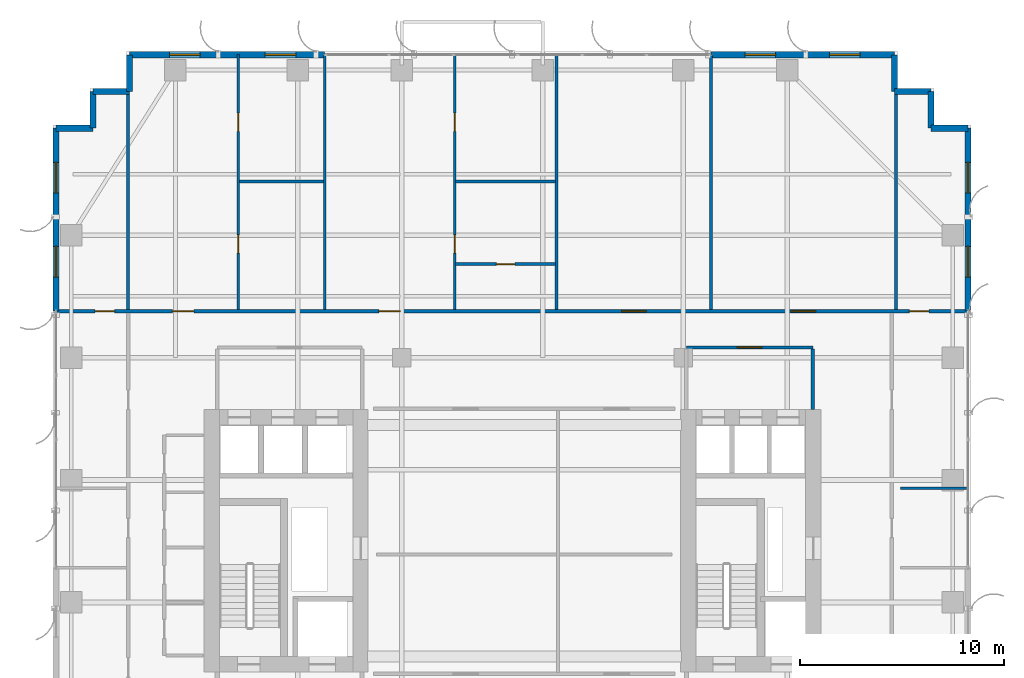
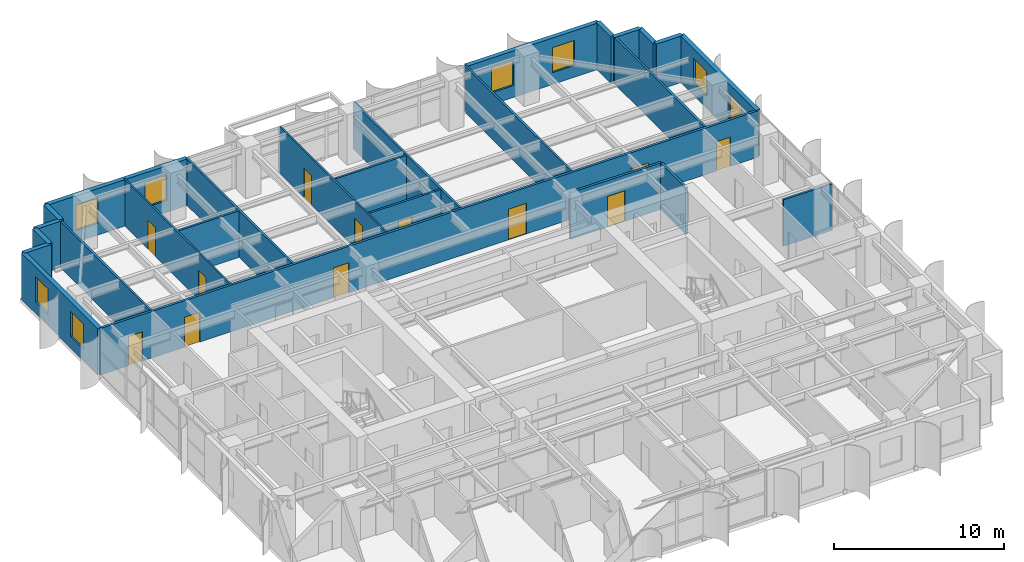
# One storey, part 21 of 25: 26 walls, 12 doors, 8 windows, 20 openings.
"""IFC4 building model written with IfcOpenShell, lengths in metres."""

from ifc_helpers import new_model, si_unit, direction, frame, frame_2d, origin, place, context, subcontext, project, spatial, rectangle, extrude, source, transform, mapped, material, layer, layer_set, type_object, element, fill, save


model = new_model("IFC4")

# Units and contexts
model_context = context("Model", 3, precision=1e-05, world=origin(), true_north=direction((0.0, 1.0)))
body_context = subcontext(model_context, "Body", "Model", "MODEL_VIEW")
ifc_project = project(units=[si_unit("LENGTHUNIT", "METRE"), si_unit("AREAUNIT", "SQUARE_METRE"), si_unit("VOLUMEUNIT", "CUBIC_METRE"), si_unit("PLANEANGLEUNIT", "RADIAN"), si_unit("MASSUNIT", "GRAM", prefix="KILO")], contexts=[model_context])

# Site, building, storey
site_placement = place(None, origin())
site = spatial("IfcSite", under=ifc_project, at=site_placement, CompositionType="ELEMENT")
building_placement = place(site_placement, origin())
building = spatial("IfcBuilding", under=site, at=building_placement, Name="Khoralis Quay Care Tower", CompositionType="ELEMENT")
storey_placement = place(building_placement, frame((0.0, 0.0, 134.10009765625)))
storey = spatial("IfcBuildingStorey", under=building, at=storey_placement, Name="L35", CompositionType="ELEMENT", Elevation=134.10009765625)

# Wall, opening, door
ifc_material_1 = material(Name="Gypsum plasterboard on acoustic metal stud")
ifc_layer_1 = layer(ifc_material_1, 0.1650390625)
ifc_layer_set_1 = layer_set([ifc_layer_1], Name="Gypsum plasterboard on acoustic metal stud")
wall_type_1 = type_object("IfcWallType", Name="WL-CORR-165", PredefinedType="PARTITIONING", material=ifc_layer_set_1)
wall_1_placement = place(storey_placement, frame((31.050048828125, 30.5, 0.0), z_axis=(0.0, 0.0, 1.0), x_axis=(1.0, 0.0, 0.0)))
wall_1 = element("IfcWall", 1, at=wall_1_placement, inside=storey, type_object=wall_type_1, Name="L35 East Lift Lobby North Wall", PredefinedType="PARTITIONING", context=body_context, shape_type="SweptSolid", body=[
    extrude(rectangle(XDim=6.199951171875, YDim=0.1650390625, at=frame_2d((3.10009765625, 0.0))), origin(), (0.0, 0.0, 1.0), 3.33984375),
])
opening_1_placement = place(wall_1_placement, frame((2.5, 0.0, 0.0)))
opening_1 = element("IfcOpeningElement", 2, at=opening_1_placement, cuts=wall_1, Name="Opening FD1", PredefinedType="OPENING", context=body_context, shape_type="SweptSolid", body=[
    extrude(rectangle(XDim=1.199951171875, YDim=2.199951171875, at=frame_2d((0.60009765625, 1.10009765625))), frame((0.0, 0.092529296875, 0.0), z_axis=(0.0, -1.0, 0.0), x_axis=(1.0, 0.0, 0.0)), (0.0, 0.0, 1.0), 0.18505859375),
])
ifc_material_2 = material(Name="Fire-rated painted steel", Category="steel")
door_type_1 = type_object("IfcDoorType", Name="DR-FFL-1200X2200", OperationType="NOTDEFINED", PredefinedType="DOOR", material=ifc_material_2)
shared_shape_1 = source(origin(), body_context, "Body", "SweptSolid", [
    extrude(rectangle(XDim=1.199951171875, YDim=2.199951171875, at=frame_2d((0.60009765625, 1.10009765625))), frame((0.0, 0.02490234375, 0.0), z_axis=(0.0, -1.0, 0.0), x_axis=(1.0, 0.0, 0.0)), (0.0, 0.0, 1.0), 0.050048828125),
])
door_1_placement = place(opening_1_placement, origin())
door_1 = element("IfcDoor", 3, at=door_1_placement, inside=storey, type_object=door_type_1, Name="L35 East Lift Lobby Double Door", OperationType="DOUBLE_DOOR_SINGLE_SWING", OverallHeight=2.199951171875, OverallWidth=1.199951171875, PredefinedType="DOOR", context=body_context, shape_type="MappedRepresentation", body=[
    mapped(shared_shape_1, transform((0.0, 0.0, 0.0), scale=1.0)),
])
fill(opening_1, door_1)

# Wall
wall_2_placement = place(storey_placement, frame((37.25, 27.469970703125, 0.0), z_axis=(0.0, 0.0, 1.0), x_axis=(0.0, 1.0, 0.0)))
element("IfcWall", 4, at=wall_2_placement, inside=storey, type_object=wall_type_1, Name="L35 East Lift Lobby East Wall", PredefinedType="PARTITIONING", context=body_context, shape_type="SweptSolid", body=[
    extrude(rectangle(XDim=2.95263671875, YDim=0.1650390625, at=frame_2d((1.476318359375, 0.0))), origin(), (0.0, 0.0, 1.0), 3.33984375),
])

# Wall, openings, doors
wall_3_placement = place(storey_placement, frame((0.14501953125, 32.280029296875, 0.0), z_axis=(0.0, 0.0, 1.0), x_axis=(1.0, 0.0, 0.0)))
wall_3 = element("IfcWall", 5, at=wall_3_placement, inside=storey, type_object=wall_type_1, Name="L35 North Main Corridor Wall", PredefinedType="PARTITIONING", context=body_context, shape_type="SweptSolid", body=[
    extrude(rectangle(XDim=44.7099609375, YDim=0.1650390625, at=frame_2d((22.35498046875, 0.0))), origin(), (0.0, 0.0, 1.0), 3.33984375),
])
opening_2_placement = place(wall_3_placement, frame((5.708984375, 0.0, 0.0)))
opening_2 = element("IfcOpeningElement", 6, at=opening_2_placement, cuts=wall_3, Name="Opening UD1", PredefinedType="OPENING", context=body_context, shape_type="SweptSolid", body=[
    extrude(rectangle(XDim=1.050048828125, YDim=2.14990234375, at=frame_2d((0.52490234375, 1.074951171875))), frame((0.0, 0.092529296875, 0.0), z_axis=(0.0, -1.0, 0.0), x_axis=(1.0, 0.0, 0.0)), (0.0, 0.0, 1.0), 0.18505859375),
])
opening_3_placement = place(wall_3_placement, frame((15.83349609375, 0.0, 0.0)))
opening_3 = element("IfcOpeningElement", 7, at=opening_3_placement, cuts=wall_3, Name="Opening UD1", PredefinedType="OPENING", context=body_context, shape_type="SweptSolid", body=[
    extrude(rectangle(XDim=1.050048828125, YDim=2.14990234375, at=frame_2d((0.52490234375, 1.074951171875))), frame((0.0, 0.092529296875, 0.0), z_axis=(0.0, -1.0, 0.0), x_axis=(1.0, 0.0, 0.0)), (0.0, 0.0, 1.0), 0.18505859375),
])
opening_4_placement = place(wall_3_placement, frame((27.72509765625, 0.0, 0.0)))
opening_4 = element("IfcOpeningElement", 8, at=opening_4_placement, cuts=wall_3, Name="Opening FD1", PredefinedType="OPENING", context=body_context, shape_type="SweptSolid", body=[
    extrude(rectangle(XDim=1.199951171875, YDim=2.199951171875, at=frame_2d((0.60009765625, 1.10009765625))), frame((0.0, 0.092529296875, 0.0), z_axis=(0.0, -1.0, 0.0), x_axis=(1.0, 0.0, 0.0)), (0.0, 0.0, 1.0), 0.18505859375),
])
opening_5_placement = place(wall_3_placement, frame((36.0400390625, 0.0, 0.0)))
opening_5 = element("IfcOpeningElement", 9, at=opening_5_placement, cuts=wall_3, Name="Opening FD1", PredefinedType="OPENING", context=body_context, shape_type="SweptSolid", body=[
    extrude(rectangle(XDim=1.199951171875, YDim=2.199951171875, at=frame_2d((0.60009765625, 1.10009765625))), frame((0.0, 0.092529296875, 0.0), z_axis=(0.0, -1.0, 0.0), x_axis=(1.0, 0.0, 0.0)), (0.0, 0.0, 1.0), 0.18505859375),
])
opening_6_placement = place(wall_3_placement, frame((1.919921875, 0.0, 0.0)))
opening_6 = element("IfcOpeningElement", 10, at=opening_6_placement, cuts=wall_3, Name="Opening ID1", PredefinedType="OPENING", context=body_context, shape_type="SweptSolid", body=[
    extrude(rectangle(XDim=0.949951171875, YDim=2.10009765625, at=frame_2d((0.47509765625, 1.050048828125))), frame((0.0, 0.092529296875, 0.0), z_axis=(0.0, -1.0, 0.0), x_axis=(1.0, 0.0, 0.0)), (0.0, 0.0, 1.0), 0.18505859375),
])
opening_7_placement = place(wall_3_placement, frame((41.840087890625, 0.0, 0.0)))
opening_7 = element("IfcOpeningElement", 11, at=opening_7_placement, cuts=wall_3, Name="Opening ID1", PredefinedType="OPENING", context=body_context, shape_type="SweptSolid", body=[
    extrude(rectangle(XDim=0.949951171875, YDim=2.10009765625, at=frame_2d((0.47509765625, 1.050048828125))), frame((0.0, 0.092529296875, 0.0), z_axis=(0.0, -1.0, 0.0), x_axis=(1.0, 0.0, 0.0)), (0.0, 0.0, 1.0), 0.18505859375),
])
door_2_placement = place(opening_4_placement, origin())
door_2 = element("IfcDoor", 12, at=door_2_placement, inside=storey, type_object=door_type_1, Name="L35 Assisted Communal Dining Room Door", OperationType="DOUBLE_DOOR_SINGLE_SWING", OverallHeight=2.199951171875, OverallWidth=1.199951171875, PredefinedType="DOOR", context=body_context, shape_type="MappedRepresentation", body=[
    mapped(shared_shape_1, transform((0.0, 0.0, 0.0), scale=1.0)),
])
fill(opening_4, door_2)
door_3_placement = place(opening_5_placement, origin())
door_3 = element("IfcDoor", 13, at=door_3_placement, inside=storey, type_object=door_type_1, Name="L35 Resident Communal Day Lounge Door", OperationType="DOUBLE_DOOR_SINGLE_SWING", OverallHeight=2.199951171875, OverallWidth=1.199951171875, PredefinedType="DOOR", context=body_context, shape_type="MappedRepresentation", body=[
    mapped(shared_shape_1, transform((0.0, 0.0, 0.0), scale=1.0)),
])
fill(opening_5, door_3)
ifc_material_3 = material(Name="Acoustic hardwood timber", Category="wood")
door_type_2 = type_object("IfcDoorType", Name="DR-ROOM-950X2100", OperationType="NOTDEFINED", PredefinedType="DOOR", material=ifc_material_3)
shared_shape_2 = source(origin(), body_context, "Body", "SweptSolid", [
    extrude(rectangle(XDim=0.949951171875, YDim=2.10009765625, at=frame_2d((0.47509765625, 1.050048828125))), frame((0.0, 0.02490234375, 0.0), z_axis=(0.0, -1.0, 0.0), x_axis=(1.0, 0.0, 0.0)), (0.0, 0.0, 1.0), 0.050048828125),
])
door_4_placement = place(opening_6_placement, origin())
door_4 = element("IfcDoor", 14, at=door_4_placement, inside=storey, type_object=door_type_2, Name="L35 NW Corner Door", OperationType="SINGLE_SWING_RIGHT", OverallHeight=2.10009765625, OverallWidth=0.949951171875, PredefinedType="DOOR", context=body_context, shape_type="MappedRepresentation", body=[
    mapped(shared_shape_2, transform((0.0, 0.0, 0.0), scale=1.0)),
])
fill(opening_6, door_4)
door_5_placement = place(opening_7_placement, origin())
door_5 = element("IfcDoor", 15, at=door_5_placement, inside=storey, type_object=door_type_2, Name="L35 NE Corner Door", OperationType="SINGLE_SWING_LEFT", OverallHeight=2.10009765625, OverallWidth=0.949951171875, PredefinedType="DOOR", context=body_context, shape_type="MappedRepresentation", body=[
    mapped(shared_shape_2, transform((0.0, 0.0, 0.0), scale=1.0)),
])
fill(opening_7, door_5)
door_type_3 = type_object("IfcDoorType", Name="DR-SUITE-1050X2150", OperationType="NOTDEFINED", PredefinedType="DOOR", material=ifc_material_3)
shared_shape_3 = source(origin(), body_context, "Body", "SweptSolid", [
    extrude(rectangle(XDim=1.050048828125, YDim=2.14990234375, at=frame_2d((0.52490234375, 1.074951171875))), frame((0.0, 0.02490234375, 0.0), z_axis=(0.0, -1.0, 0.0), x_axis=(1.0, 0.0, 0.0)), (0.0, 0.0, 1.0), 0.050048828125),
])
door_6_placement = place(opening_2_placement, origin())
door_6 = element("IfcDoor", 16, at=door_6_placement, inside=storey, type_object=door_type_3, Name="L35 Studio NB0 Entrance", OperationType="SINGLE_SWING_LEFT", OverallHeight=2.14990234375, OverallWidth=1.050048828125, PredefinedType="DOOR", context=body_context, shape_type="MappedRepresentation", body=[
    mapped(shared_shape_3, transform((0.0, 0.0, 0.0), scale=1.0)),
])
fill(opening_2, door_6)
door_7_placement = place(opening_3_placement, origin())
door_7 = element("IfcDoor", 17, at=door_7_placement, inside=storey, type_object=door_type_3, Name="L35 Studio NB1 Entrance", OperationType="SINGLE_SWING_RIGHT", OverallHeight=2.14990234375, OverallWidth=1.050048828125, PredefinedType="DOOR", context=body_context, shape_type="MappedRepresentation", body=[
    mapped(shared_shape_3, transform((0.0, 0.0, 0.0), scale=1.0)),
])
fill(opening_3, door_7)

# Wall, openings, windows
ifc_material_4 = material(Name="Precast concrete C45/55", Category="concrete")
ifc_layer_2 = layer(ifc_material_4, 0.300048828125)
ifc_layer_set_2 = layer_set([ifc_layer_2], Name="Precast concrete C45/55")
wall_type_2 = type_object("IfcWallType", Name="WL-EXT-REF-300", PredefinedType="SOLIDWALL", material=ifc_layer_set_2)
wall_4_placement = place(storey_placement, frame((44.85009765625, 32.280029296875, 0.0), z_axis=(0.0, 0.0, 1.0), x_axis=(0.0, 1.0, 0.0)))
wall_4 = element("IfcWall", 18, at=wall_4_placement, inside=storey, type_object=wall_type_2, Name="L35 External Facade Wall WL-EXT-L35-P1-E5B", PredefinedType="SOLIDWALL", context=body_context, shape_type="SweptSolid", body=[
    extrude(rectangle(XDim=8.969970703125, YDim=0.300048828125, at=frame_2d((4.48486328125, 0.0))), origin(), (0.0, 0.0, 1.0), 3.33984375),
])
opening_8_placement = place(wall_4_placement, frame((1.672607421875, 0.0, 0.85009765625)))
opening_8 = element("IfcOpeningElement", 19, at=opening_8_placement, cuts=wall_4, Name="Opening W3", PredefinedType="OPENING", context=body_context, shape_type="SweptSolid", body=[
    extrude(rectangle(XDim=1.5, YDim=1.800048828125, at=frame_2d((0.75, 0.89990234375))), frame((0.0, 0.16015625, 0.0), z_axis=(0.0, -1.0, 0.0), x_axis=(1.0, 0.0, 0.0)), (0.0, 0.0, 1.0), 0.320068359375),
])
opening_9_placement = place(wall_4_placement, frame((5.797607421875, 0.0, 0.85009765625)))
opening_9 = element("IfcOpeningElement", 20, at=opening_9_placement, cuts=wall_4, Name="Opening W3", PredefinedType="OPENING", context=body_context, shape_type="SweptSolid", body=[
    extrude(rectangle(XDim=1.5, YDim=1.800048828125, at=frame_2d((0.75, 0.89990234375))), frame((0.0, 0.16015625, 0.0), z_axis=(0.0, -1.0, 0.0), x_axis=(1.0, 0.0, 0.0)), (0.0, 0.0, 1.0), 0.320068359375),
])
ifc_material_5 = material(Name="Low-E solar-control double glazing", Category="glass")
window_type = type_object("IfcWindowType", Name="WN-CLIN-1500X1800", PartitioningType="SINGLE_PANEL", PredefinedType="WINDOW", material=ifc_material_5)
shared_shape_4 = source(origin(), body_context, "Body", "SweptSolid", [
    extrude(rectangle(XDim=1.5, YDim=1.800048828125, at=frame_2d((0.75, 0.89990234375))), frame((0.0, 0.030029296875, 0.0), z_axis=(0.0, -1.0, 0.0), x_axis=(1.0, 0.0, 0.0)), (0.0, 0.0, 1.0), 0.06005859375),
])
window_1_placement = place(opening_8_placement, origin())
window_1 = element("IfcWindow", 21, at=window_1_placement, inside=storey, type_object=window_type, Name="WN-L35-P1-E5B Facade Window 01", OverallHeight=1.800048828125, OverallWidth=1.5, PartitioningType="SINGLE_PANEL", PredefinedType="WINDOW", context=body_context, shape_type="MappedRepresentation", body=[
    mapped(shared_shape_4, transform((0.0, 0.0, 0.0), scale=1.0)),
])
fill(opening_8, window_1)
window_2_placement = place(opening_9_placement, origin())
window_2 = element("IfcWindow", 22, at=window_2_placement, inside=storey, type_object=window_type, Name="WN-L35-P1-E5B Facade Window 02", OverallHeight=1.800048828125, OverallWidth=1.5, PartitioningType="SINGLE_PANEL", PredefinedType="WINDOW", context=body_context, shape_type="MappedRepresentation", body=[
    mapped(shared_shape_4, transform((0.0, 0.0, 0.0), scale=1.0)),
])
fill(opening_9, window_2)

# Walls
for number, where, z_axis, x_axis, name in (
    (23, (44.85009765625, 41.25, 0.0), (0.0, 0.0, 1.0), (-1.0, 0.0, 0.0), "L35 External Facade Wall WL-EXT-L35-P1-C6"),
    (24, (43.050048828125, 41.25, 0.0), (0.0, 0.0, 1.0), (0.0, 1.0, 0.0), "L35 External Facade Wall WL-EXT-L35-P1-C7"),
    (25, (43.050048828125, 43.050048828125, 0.0), (0.0, 0.0, 1.0), (-1.0, 0.0, 0.0), "L35 External Facade Wall WL-EXT-L35-P1-C8"),
    (26, (41.25, 43.050048828125, 0.0), (0.0, 0.0, 1.0), (0.0, 1.0, 0.0), "L35 External Facade Wall WL-EXT-L35-P1-C9"),
):
    element("IfcWall", number, at=place(storey_placement, frame(where, z_axis=z_axis, x_axis=x_axis)), inside=storey, type_object=wall_type_2, Name=name, PredefinedType="SOLIDWALL", context=body_context, shape_type="SweptSolid", body=[
        extrude(rectangle(XDim=1.800048828125, YDim=0.300048828125, at=frame_2d((0.89990234375, 0.0))), origin(), (0.0, 0.0, 1.0), 3.33984375),
    ])

# Wall, openings, windows
wall_5_placement = place(storey_placement, frame((41.25, 44.85009765625, 0.0), z_axis=(0.0, 0.0, 1.0), x_axis=(-1.0, 0.0, 0.0)))
wall_5 = element("IfcWall", 27, at=wall_5_placement, inside=storey, type_object=wall_type_2, Name="L35 External Facade Wall WL-EXT-L35-P1-E10A", PredefinedType="SOLIDWALL", context=body_context, shape_type="SweptSolid", body=[
    extrude(rectangle(XDim=9.0, YDim=0.300048828125, at=frame_2d((4.5, 0.0))), origin(), (0.0, 0.0, 1.0), 3.33984375),
])
opening_10_placement = place(wall_5_placement, frame((1.679931640625, 0.0, 0.85009765625)))
opening_10 = element("IfcOpeningElement", 28, at=opening_10_placement, cuts=wall_5, Name="Opening W3", PredefinedType="OPENING", context=body_context, shape_type="SweptSolid", body=[
    extrude(rectangle(XDim=1.5, YDim=1.800048828125, at=frame_2d((0.75, 0.89990234375))), frame((0.0, 0.16015625, 0.0), z_axis=(0.0, -1.0, 0.0), x_axis=(1.0, 0.0, 0.0)), (0.0, 0.0, 1.0), 0.320068359375),
])
opening_11_placement = place(wall_5_placement, frame((5.820068359375, 0.0, 0.85009765625)))
opening_11 = element("IfcOpeningElement", 29, at=opening_11_placement, cuts=wall_5, Name="Opening W3", PredefinedType="OPENING", context=body_context, shape_type="SweptSolid", body=[
    extrude(rectangle(XDim=1.5, YDim=1.800048828125, at=frame_2d((0.75, 0.89990234375))), frame((0.0, 0.16015625, 0.0), z_axis=(0.0, -1.0, 0.0), x_axis=(1.0, 0.0, 0.0)), (0.0, 0.0, 1.0), 0.320068359375),
])
window_3_placement = place(opening_10_placement, origin())
window_3 = element("IfcWindow", 30, at=window_3_placement, inside=storey, type_object=window_type, Name="WN-L35-P1-E10A Facade Window 01", OverallHeight=1.800048828125, OverallWidth=1.5, PartitioningType="SINGLE_PANEL", PredefinedType="WINDOW", context=body_context, shape_type="MappedRepresentation", body=[
    mapped(shared_shape_4, transform((0.0, 0.0, 0.0), scale=1.0)),
])
fill(opening_10, window_3)
window_4_placement = place(opening_11_placement, origin())
window_4 = element("IfcWindow", 31, at=window_4_placement, inside=storey, type_object=window_type, Name="WN-L35-P1-E10A Facade Window 02", OverallHeight=1.800048828125, OverallWidth=1.5, PartitioningType="SINGLE_PANEL", PredefinedType="WINDOW", context=body_context, shape_type="MappedRepresentation", body=[
    mapped(shared_shape_4, transform((0.0, 0.0, 0.0), scale=1.0)),
])
fill(opening_11, window_4)

wall_6_placement = place(storey_placement, frame((13.320068359375, 44.85009765625, 0.0), z_axis=(0.0, 0.0, 1.0), x_axis=(-1.0, 0.0, 0.0)))
wall_6 = element("IfcWall", 32, at=wall_6_placement, inside=storey, type_object=wall_type_2, Name="L35 External Facade Wall WL-EXT-L35-P1-E10B", PredefinedType="SOLIDWALL", context=body_context, shape_type="SweptSolid", body=[
    extrude(rectangle(XDim=9.570068359375, YDim=0.300048828125, at=frame_2d((4.78515625, 0.0))), origin(), (0.0, 0.0, 1.0), 3.33984375),
])
opening_12_placement = place(wall_6_placement, frame((1.4208984375, 0.0, 0.85009765625)))
opening_12 = element("IfcOpeningElement", 33, at=opening_12_placement, cuts=wall_6, Name="Opening W3", PredefinedType="OPENING", context=body_context, shape_type="SweptSolid", body=[
    extrude(rectangle(XDim=1.5, YDim=1.800048828125, at=frame_2d((0.75, 0.89990234375))), frame((0.0, 0.16015625, 0.0), z_axis=(0.0, -1.0, 0.0), x_axis=(1.0, 0.0, 0.0)), (0.0, 0.0, 1.0), 0.320068359375),
])
opening_13_placement = place(wall_6_placement, frame((6.10595703125, 0.0, 0.85009765625)))
opening_13 = element("IfcOpeningElement", 34, at=opening_13_placement, cuts=wall_6, Name="Opening W3", PredefinedType="OPENING", context=body_context, shape_type="SweptSolid", body=[
    extrude(rectangle(XDim=1.5, YDim=1.800048828125, at=frame_2d((0.75, 0.89990234375))), frame((0.0, 0.16015625, 0.0), z_axis=(0.0, -1.0, 0.0), x_axis=(1.0, 0.0, 0.0)), (0.0, 0.0, 1.0), 0.320068359375),
])
window_5_placement = place(opening_12_placement, origin())
window_5 = element("IfcWindow", 35, at=window_5_placement, inside=storey, type_object=window_type, Name="WN-L35-P1-E10B Facade Window 01", OverallHeight=1.800048828125, OverallWidth=1.5, PartitioningType="SINGLE_PANEL", PredefinedType="WINDOW", context=body_context, shape_type="MappedRepresentation", body=[
    mapped(shared_shape_4, transform((0.0, 0.0, 0.0), scale=1.0)),
])
fill(opening_12, window_5)
window_6_placement = place(opening_13_placement, origin())
window_6 = element("IfcWindow", 36, at=window_6_placement, inside=storey, type_object=window_type, Name="WN-L35-P1-E10B Facade Window 02", OverallHeight=1.800048828125, OverallWidth=1.5, PartitioningType="SINGLE_PANEL", PredefinedType="WINDOW", context=body_context, shape_type="MappedRepresentation", body=[
    mapped(shared_shape_4, transform((0.0, 0.0, 0.0), scale=1.0)),
])
fill(opening_13, window_6)

# Walls
for number, where, z_axis, x_axis, name in (
    (37, (3.75, 44.85009765625, 0.0), (0.0, 0.0, 1.0), (0.0, -1.0, 0.0), "L35 External Facade Wall WL-EXT-L35-P1-C11"),
    (38, (3.75, 43.050048828125, 0.0), (0.0, 0.0, 1.0), (-1.0, 0.0, 0.0), "L35 External Facade Wall WL-EXT-L35-P1-C12"),
    (39, (1.949951171875, 43.050048828125, 0.0), (0.0, 0.0, 1.0), (0.0, -1.0, 0.0), "L35 External Facade Wall WL-EXT-L35-P1-C13"),
    (40, (1.949951171875, 41.25, 0.0), (0.0, 0.0, 1.0), (-1.0, 0.0, 0.0), "L35 External Facade Wall WL-EXT-L35-P1-C14"),
):
    element("IfcWall", number, at=place(storey_placement, frame(where, z_axis=z_axis, x_axis=x_axis)), inside=storey, type_object=wall_type_2, Name=name, PredefinedType="SOLIDWALL", context=body_context, shape_type="SweptSolid", body=[
        extrude(rectangle(XDim=1.800048828125, YDim=0.300048828125, at=frame_2d((0.89990234375, 0.0))), origin(), (0.0, 0.0, 1.0), 3.33984375),
    ])

# Wall, openings, windows
wall_7_placement = place(storey_placement, frame((0.14990234375, 41.25, 0.0), z_axis=(0.0, 0.0, 1.0), x_axis=(0.0, -1.0, 0.0)))
wall_7 = element("IfcWall", 41, at=wall_7_placement, inside=storey, type_object=wall_type_2, Name="L35 External Facade Wall WL-EXT-L35-P1-E15A", PredefinedType="SOLIDWALL", context=body_context, shape_type="SweptSolid", body=[
    extrude(rectangle(XDim=8.969970703125, YDim=0.300048828125, at=frame_2d((4.48486328125, 0.0))), origin(), (0.0, 0.0, 1.0), 3.33984375),
])
opening_14_placement = place(wall_7_placement, frame((1.672607421875, 0.0, 0.85009765625)))
opening_14 = element("IfcOpeningElement", 42, at=opening_14_placement, cuts=wall_7, Name="Opening W3", PredefinedType="OPENING", context=body_context, shape_type="SweptSolid", body=[
    extrude(rectangle(XDim=1.5, YDim=1.800048828125, at=frame_2d((0.75, 0.89990234375))), frame((0.0, 0.16015625, 0.0), z_axis=(0.0, -1.0, 0.0), x_axis=(1.0, 0.0, 0.0)), (0.0, 0.0, 1.0), 0.320068359375),
])
opening_15_placement = place(wall_7_placement, frame((5.797607421875, 0.0, 0.85009765625)))
opening_15 = element("IfcOpeningElement", 43, at=opening_15_placement, cuts=wall_7, Name="Opening W3", PredefinedType="OPENING", context=body_context, shape_type="SweptSolid", body=[
    extrude(rectangle(XDim=1.5, YDim=1.800048828125, at=frame_2d((0.75, 0.89990234375))), frame((0.0, 0.16015625, 0.0), z_axis=(0.0, -1.0, 0.0), x_axis=(1.0, 0.0, 0.0)), (0.0, 0.0, 1.0), 0.320068359375),
])
window_7_placement = place(opening_14_placement, origin())
window_7 = element("IfcWindow", 44, at=window_7_placement, inside=storey, type_object=window_type, Name="WN-L35-P1-E15A Facade Window 01", OverallHeight=1.800048828125, OverallWidth=1.5, PartitioningType="SINGLE_PANEL", PredefinedType="WINDOW", context=body_context, shape_type="MappedRepresentation", body=[
    mapped(shared_shape_4, transform((0.0, 0.0, 0.0), scale=1.0)),
])
fill(opening_14, window_7)
window_8_placement = place(opening_15_placement, origin())
window_8 = element("IfcWindow", 45, at=window_8_placement, inside=storey, type_object=window_type, Name="WN-L35-P1-E15A Facade Window 02", OverallHeight=1.800048828125, OverallWidth=1.5, PartitioningType="SINGLE_PANEL", PredefinedType="WINDOW", context=body_context, shape_type="MappedRepresentation", body=[
    mapped(shared_shape_4, transform((0.0, 0.0, 0.0), scale=1.0)),
])
fill(opening_15, window_8)

# Wall, openings, doors
ifc_layer_3 = layer(ifc_material_1, 0.114990234375)
ifc_layer_set_3 = layer_set([ifc_layer_3], Name="Gypsum plasterboard on acoustic metal stud")
wall_type_3 = type_object("IfcWallType", Name="WL-PART-115", PredefinedType="PARTITIONING", material=ifc_layer_set_3)
wall_8_placement = place(storey_placement, frame((9.077880859375, 32.357421875, 0.0), z_axis=(0.0, 0.0, 1.0), x_axis=(0.0, 1.0, 0.0)))
wall_8 = element("IfcWall", 46, at=wall_8_placement, inside=storey, type_object=wall_type_3, Name="L35 Studio 0 Internal Wall", PredefinedType="PARTITIONING", context=body_context, shape_type="SweptSolid", body=[
    extrude(rectangle(XDim=12.49755859375, YDim=0.114990234375, at=frame_2d((6.248779296875, 0.0))), origin(), (0.0, 0.0, 1.0), 3.33984375),
])
opening_16_placement = place(wall_8_placement, frame((8.737548828125, 0.0, 0.0)))
opening_16 = element("IfcOpeningElement", 47, at=opening_16_placement, cuts=wall_8, Name="Opening WD1", PredefinedType="OPENING", context=body_context, shape_type="SweptSolid", body=[
    extrude(rectangle(XDim=0.89990234375, YDim=2.10009765625, at=frame_2d((0.449951171875, 1.050048828125))), frame((0.0, 0.0673828125, 0.0), z_axis=(0.0, -1.0, 0.0), x_axis=(1.0, 0.0, 0.0)), (0.0, 0.0, 1.0), 0.135009765625),
])
opening_17_placement = place(wall_8_placement, frame((2.767578125, 0.0, 0.0)))
opening_17 = element("IfcOpeningElement", 48, at=opening_17_placement, cuts=wall_8, Name="Opening WD1", PredefinedType="OPENING", context=body_context, shape_type="SweptSolid", body=[
    extrude(rectangle(XDim=0.89990234375, YDim=2.10009765625, at=frame_2d((0.449951171875, 1.050048828125))), frame((0.0, 0.0673828125, 0.0), z_axis=(0.0, -1.0, 0.0), x_axis=(1.0, 0.0, 0.0)), (0.0, 0.0, 1.0), 0.135009765625),
])
door_type_4 = type_object("IfcDoorType", Name="DR-BATH-900X2100", OperationType="NOTDEFINED", PredefinedType="DOOR", material=ifc_material_3)
shared_shape_5 = source(origin(), body_context, "Body", "SweptSolid", [
    extrude(rectangle(XDim=0.89990234375, YDim=2.10009765625, at=frame_2d((0.449951171875, 1.050048828125))), frame((0.0, 0.02490234375, 0.0), z_axis=(0.0, -1.0, 0.0), x_axis=(1.0, 0.0, 0.0)), (0.0, 0.0, 1.0), 0.050048828125),
])
door_8_placement = place(opening_16_placement, frame((0.89990234375, 0.0, 0.0), z_axis=(0.0, 0.0, 1.0), x_axis=(-1.0, 0.0, 0.0)))
door_8 = element("IfcDoor", 49, at=door_8_placement, inside=storey, type_object=door_type_4, Name="L35 Studio SKT Door", OperationType="SINGLE_SWING_RIGHT", OverallHeight=2.10009765625, OverallWidth=0.89990234375, PredefinedType="DOOR", context=body_context, shape_type="MappedRepresentation", body=[
    mapped(shared_shape_5, transform((0.0, 0.0, 0.0), scale=1.0)),
])
fill(opening_16, door_8)
door_9_placement = place(opening_17_placement, frame((0.89990234375, 0.0, 0.0), z_axis=(0.0, 0.0, 1.0), x_axis=(-1.0, 0.0, 0.0)))
door_9 = element("IfcDoor", 50, at=door_9_placement, inside=storey, type_object=door_type_4, Name="L35 Studio SBH Door", OperationType="SINGLE_SWING_LEFT", OverallHeight=2.10009765625, OverallWidth=0.89990234375, PredefinedType="DOOR", context=body_context, shape_type="MappedRepresentation", body=[
    mapped(shared_shape_5, transform((0.0, 0.0, 0.0), scale=1.0)),
])
fill(opening_17, door_9)

wall_9_placement = place(storey_placement, frame((19.68701171875, 32.357421875, 0.0), z_axis=(0.0, 0.0, 1.0), x_axis=(0.0, 1.0, 0.0)))
wall_9 = element("IfcWall", 51, at=wall_9_placement, inside=storey, type_object=wall_type_3, Name="L35 Studio 1 Internal Wall", PredefinedType="PARTITIONING", context=body_context, shape_type="SweptSolid", body=[
    extrude(rectangle(XDim=12.49755859375, YDim=0.114990234375, at=frame_2d((6.248779296875, 0.0))), origin(), (0.0, 0.0, 1.0), 3.33984375),
])
opening_18_placement = place(wall_9_placement, frame((8.737548828125, 0.0, 0.0)))
opening_18 = element("IfcOpeningElement", 52, at=opening_18_placement, cuts=wall_9, Name="Opening WD1", PredefinedType="OPENING", context=body_context, shape_type="SweptSolid", body=[
    extrude(rectangle(XDim=0.89990234375, YDim=2.10009765625, at=frame_2d((0.449951171875, 1.050048828125))), frame((0.0, 0.0673828125, 0.0), z_axis=(0.0, -1.0, 0.0), x_axis=(1.0, 0.0, 0.0)), (0.0, 0.0, 1.0), 0.135009765625),
])
opening_19_placement = place(wall_9_placement, frame((2.767578125, 0.0, 0.0)))
opening_19 = element("IfcOpeningElement", 53, at=opening_19_placement, cuts=wall_9, Name="Opening WD1", PredefinedType="OPENING", context=body_context, shape_type="SweptSolid", body=[
    extrude(rectangle(XDim=0.89990234375, YDim=2.10009765625, at=frame_2d((0.449951171875, 1.050048828125))), frame((0.0, 0.0673828125, 0.0), z_axis=(0.0, -1.0, 0.0), x_axis=(1.0, 0.0, 0.0)), (0.0, 0.0, 1.0), 0.135009765625),
])
door_10_placement = place(opening_18_placement, frame((0.89990234375, 0.0, 0.0), z_axis=(0.0, 0.0, 1.0), x_axis=(-1.0, 0.0, 0.0)))
door_10 = element("IfcDoor", 54, at=door_10_placement, inside=storey, type_object=door_type_4, Name="L35 Studio SKT Door", OperationType="SINGLE_SWING_LEFT", OverallHeight=2.10009765625, OverallWidth=0.89990234375, PredefinedType="DOOR", context=body_context, shape_type="MappedRepresentation", body=[
    mapped(shared_shape_5, transform((0.0, 0.0, 0.0), scale=1.0)),
])
fill(opening_18, door_10)
door_11_placement = place(opening_19_placement, frame((0.89990234375, 0.0, 0.0), z_axis=(0.0, 0.0, 1.0), x_axis=(-1.0, 0.0, 0.0)))
door_11 = element("IfcDoor", 55, at=door_11_placement, inside=storey, type_object=door_type_4, Name="L35 Studio SBH Door", OperationType="SINGLE_SWING_RIGHT", OverallHeight=2.10009765625, OverallWidth=0.89990234375, PredefinedType="DOOR", context=body_context, shape_type="MappedRepresentation", body=[
    mapped(shared_shape_5, transform((0.0, 0.0, 0.0), scale=1.0)),
])
fill(opening_19, door_11)

# Walls
ifc_material_6 = material(Name="Moisture-resistant gypsum and ceramic tile")
ifc_layer_4 = layer(ifc_material_6, 0.280029296875)
ifc_layer_set_4 = layer_set([ifc_layer_4], Name="Moisture-resistant gypsum and ceramic tile")
wall_type_4 = type_object("IfcWallType", Name="WL-PLUMB-280", PredefinedType="PLUMBINGWALL", material=ifc_layer_set_4)
wall_10_placement = place(storey_placement, frame((9.130615234375, 38.639892578125, 0.0), z_axis=(0.0, 0.0, 1.0), x_axis=(1.0, 0.0, 0.0)))
element("IfcWall", 56, at=wall_10_placement, inside=storey, type_object=wall_type_4, Name="L35 Studio 0 Wet Split", PredefinedType="PLUMBINGWALL", context=body_context, shape_type="SweptSolid", body=[
    extrude(rectangle(XDim=4.124267578125, YDim=0.139892578125, at=frame_2d((2.06201171875, 0.0))), origin(), (0.0, 0.0, 1.0), 3.33984375),
])
wall_11_placement = place(storey_placement, frame((19.739501953125, 38.639892578125, 0.0), z_axis=(0.0, 0.0, 1.0), x_axis=(1.0, 0.0, 0.0)))
element("IfcWall", 57, at=wall_11_placement, inside=storey, type_object=wall_type_4, Name="L35 Studio 1 Wet Split", PredefinedType="PLUMBINGWALL", context=body_context, shape_type="SweptSolid", body=[
    extrude(rectangle(XDim=4.885498046875, YDim=0.139892578125, at=frame_2d((2.44287109375, 0.0))), origin(), (0.0, 0.0, 1.0), 3.33984375),
])
ifc_layer_5 = layer(ifc_material_1, 0.139892578125)
ifc_layer_set_5 = layer_set([ifc_layer_5], Name="Gypsum plasterboard on acoustic metal stud")
wall_type_5 = type_object("IfcWallType", Name="WL-UNIT-140", PredefinedType="PARTITIONING", material=ifc_layer_set_5)
wall_12_placement = place(storey_placement, frame((41.5400390625, 23.60009765625, 0.0), z_axis=(0.0, 0.0, 1.0), x_axis=(1.0, 0.0, 0.0)))
element("IfcWall", 58, at=wall_12_placement, inside=storey, type_object=wall_type_5, Name="L35 EE Divider 2", PredefinedType="PARTITIONING", context=body_context, shape_type="SweptSolid", body=[
    extrude(rectangle(XDim=3.31494140625, YDim=0.139892578125, at=frame_2d((1.657470703125, 0.0))), origin(), (0.0, 0.0, 1.0), 3.33984375),
])
wall_13_placement = place(storey_placement, frame((3.679931640625, 32.357421875, 0.0), z_axis=(0.0, 0.0, 1.0), x_axis=(0.0, 1.0, 0.0)))
element("IfcWall", 59, at=wall_13_placement, inside=storey, type_object=wall_type_5, Name="L35 NB Demising Wall 0", PredefinedType="PARTITIONING", context=body_context, shape_type="SweptSolid", body=[
    extrude(rectangle(XDim=10.697509765625, YDim=0.139892578125, at=frame_2d((5.3486328125, 0.0))), origin(), (0.0, 0.0, 1.0), 3.33984375),
])
for number, where, z_axis, x_axis, name in (
    (60, (13.320068359375, 32.357421875, 0.0), (0.0, 0.0, 1.0), (0.0, 1.0, 0.0), "L35 NB Demising Wall 1"),
    (61, (24.68994140625, 32.357421875, 0.0), (0.0, 0.0, 1.0), (0.0, 1.0, 0.0), "L35 NB Demising Wall 2"),
    (62, (32.25, 32.357421875, 0.0), (0.0, 0.0, 1.0), (0.0, 1.0, 0.0), "L35 NB Demising Wall 3"),
):
    element("IfcWall", number, at=place(storey_placement, frame(where, z_axis=z_axis, x_axis=x_axis)), inside=storey, type_object=wall_type_5, Name=name, PredefinedType="PARTITIONING", context=body_context, shape_type="SweptSolid", body=[
        extrude(rectangle(XDim=12.49755859375, YDim=0.139892578125, at=frame_2d((6.248779296875, 0.0))), origin(), (0.0, 0.0, 1.0), 3.33984375),
    ])
wall_14_placement = place(storey_placement, frame((41.320068359375, 32.357421875, 0.0), z_axis=(0.0, 0.0, 1.0), x_axis=(0.0, 1.0, 0.0)))
element("IfcWall", 63, at=wall_14_placement, inside=storey, type_object=wall_type_5, Name="L35 NB Demising Wall 4", PredefinedType="PARTITIONING", context=body_context, shape_type="SweptSolid", body=[
    extrude(rectangle(XDim=10.697509765625, YDim=0.139892578125, at=frame_2d((5.3486328125, 0.0))), origin(), (0.0, 0.0, 1.0), 3.33984375),
])

# Wall, opening, door
wall_15_placement = place(storey_placement, frame((19.739501953125, 34.590087890625, 0.0), z_axis=(0.0, 0.0, 1.0), x_axis=(1.0, 0.0, 0.0)))
wall_15 = element("IfcWall", 64, at=wall_15_placement, inside=storey, type_object=wall_type_5, Name="Studio Bathroom L35-NB1 Sub-Partition", PredefinedType="PARTITIONING", context=body_context, shape_type="SweptSolid", body=[
    extrude(rectangle(XDim=4.885498046875, YDim=0.139892578125, at=frame_2d((2.44287109375, 0.0))), origin(), (0.0, 0.0, 1.0), 3.33984375),
])
opening_20_placement = place(wall_15_placement, frame((1.9990234375, 0.0, 0.0)))
opening_20 = element("IfcOpeningElement", 65, at=opening_20_placement, cuts=wall_15, Name="Opening WD1", PredefinedType="OPENING", context=body_context, shape_type="SweptSolid", body=[
    extrude(rectangle(XDim=0.89990234375, YDim=2.10009765625, at=frame_2d((0.449951171875, 1.050048828125))), frame((0.0, 0.080078125, 0.0), z_axis=(0.0, -1.0, 0.0), x_axis=(1.0, 0.0, 0.0)), (0.0, 0.0, 1.0), 0.159912109375),
])
door_12_placement = place(opening_20_placement, origin())
door_12 = element("IfcDoor", 66, at=door_12_placement, inside=storey, type_object=door_type_4, Name="Linen & Utility Closet SBH1 Door", OperationType="SINGLE_SWING_LEFT", OverallHeight=2.10009765625, OverallWidth=0.89990234375, PredefinedType="DOOR", context=body_context, shape_type="MappedRepresentation", body=[
    mapped(shared_shape_5, transform((0.0, 0.0, 0.0), scale=1.0)),
])
fill(opening_20, door_12)

save(model, "model.ifc")
